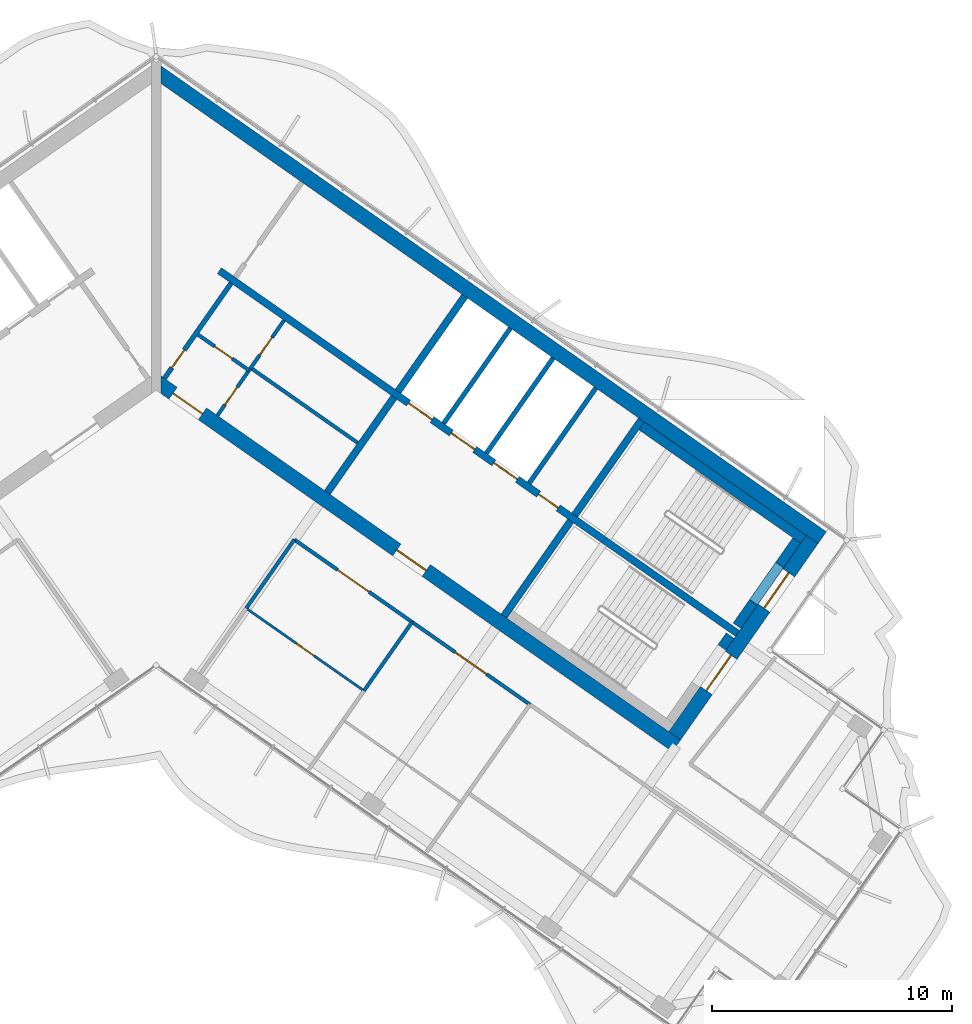
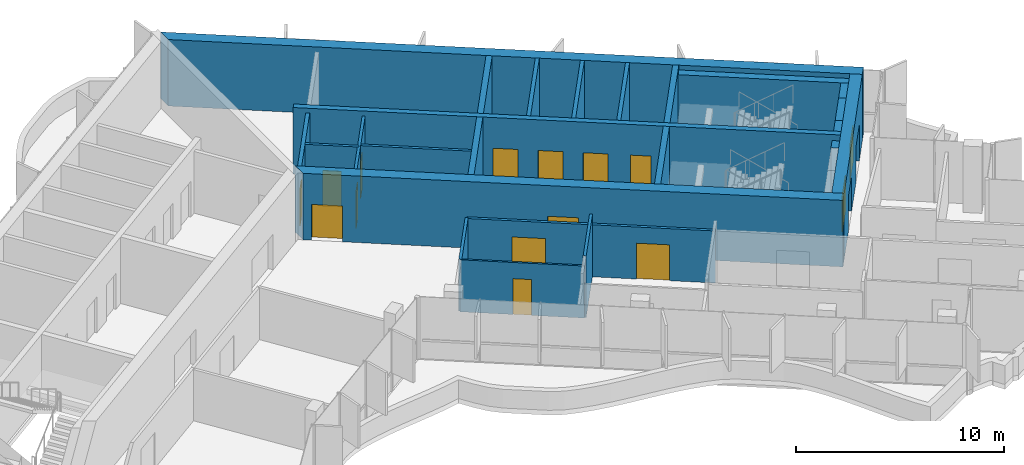
# One storey, part 11 of 18: 25 walls, 15 doors, 15 openings.
"""IFC4 building model written with IfcOpenShell, lengths in metres."""

import ifcopenshell
import ifcopenshell.guid

model = None  # the IFC model being written
_history = None  # IfcOwnerHistory: only IFC2X3 demands one
_inside = {}  # id of a spatial element -> (the spatial element, [elements in it])
_under = {}  # id of a project, library or spatial element -> (it, [spatial elements below it])
_declared = {}  # id of a project -> (the project, [libraries it declares])
_typed = {}  # id of a type object -> (the type object, [elements of that type])
_made_of = {}  # id of a material, layer set ... -> (it, [elements and type objects made of it])


def new_model(schema):
    """Start an empty IFC model of exactly this schema.

    Asked for "IFC4X3", IfcOpenShell would pick the latest addendum, in which some entities
    have other attributes; the version numbers below select the first issue.
    IFC2X3 requires an IfcOwnerHistory on every rooted entity: one is made here for all.
    """
    global model, _history
    if schema == "IFC4X3":
        model = ifcopenshell.file(schema_version=(4, 3, 0, 0))
    else:
        model = ifcopenshell.file(schema=schema)
    _inside.clear()
    _under.clear()
    _declared.clear()
    _typed.clear()
    _made_of.clear()
    _history = None
    if model.schema == "IFC2X3":
        org = make("IfcOrganization", Name="unknown")
        user = make(
            "IfcPersonAndOrganization",
            ThePerson=make("IfcPerson", FamilyName="unknown"),
            TheOrganization=org,
        )
        app = make(
            "IfcApplication",
            ApplicationDeveloper=org,
            Version="unknown",
            ApplicationFullName="unknown",
            ApplicationIdentifier="unknown",
        )
        _history = make(
            "IfcOwnerHistory",
            OwningUser=user,
            OwningApplication=app,
            ChangeAction="ADDED",
            CreationDate=0,
        )
    return model


def make(cls, **values):
    """One entity of the class cls with the attributes given. An attribute that is None is left unset."""
    return model.create_entity(
        cls, **{name: value for name, value in values.items() if value is not None}
    )


def rooted(cls, **values):
    """An entity with a GlobalId (a new one), such as an element, a storey or a relation."""
    return make(cls, GlobalId=ifcopenshell.guid.new(), OwnerHistory=_history, **values)


def si_unit(unit_type, name, prefix=None):
    """IfcSIUnit, for example si_unit("LENGTHUNIT", "METRE", prefix="MILLI")."""
    return make("IfcSIUnit", UnitType=unit_type, Prefix=prefix, Name=name)


def assignment(units):
    """IfcUnitAssignment: the units of a project."""
    return None if units is None else make("IfcUnitAssignment", Units=units)


def point(xyz):
    """IfcCartesianPoint."""
    return None if xyz is None else make("IfcCartesianPoint", Coordinates=xyz)


def direction(xyz):
    """IfcDirection."""
    return None if xyz is None else make("IfcDirection", DirectionRatios=xyz)


def frame(location, z_axis=None, x_axis=None):
    """IfcAxis2Placement3D, a coordinate frame: its origin and axes. An axis left out is left unset."""
    return make(
        "IfcAxis2Placement3D",
        Location=point(location),
        Axis=direction(z_axis),
        RefDirection=direction(x_axis),
    )


def frame_2d(location, x_axis=None):
    """IfcAxis2Placement2D, a coordinate frame in the plane: its origin and x axis."""
    return make(
        "IfcAxis2Placement2D", Location=point(location), RefDirection=direction(x_axis)
    )


def origin():
    """The frame at (0, 0, 0) with its axes left unset."""
    return frame((0.0, 0.0, 0.0))


def place(relative_to, where):
    """IfcLocalPlacement: puts the frame where relative to a parent placement (None: the world)."""
    return make(
        "IfcLocalPlacement", PlacementRelTo=relative_to, RelativePlacement=where
    )


def context(
    kind, dimensions, precision=None, world=None, true_north=None, identifier=None
):
    """IfcGeometricRepresentationContext, for example the 3D "Model" context."""
    return make(
        "IfcGeometricRepresentationContext",
        ContextIdentifier=identifier,
        ContextType=kind,
        CoordinateSpaceDimension=dimensions,
        Precision=precision,
        WorldCoordinateSystem=world,
        TrueNorth=true_north,
    )


def subcontext(parent, identifier, kind, view, scale=None):
    """IfcGeometricRepresentationSubContext, for example "Body" below "Model"."""
    return make(
        "IfcGeometricRepresentationSubContext",
        ContextIdentifier=identifier,
        ContextType=kind,
        ParentContext=parent,
        TargetScale=scale,
        TargetView=view,
    )


def project(units=None, contexts=None):
    """IfcProject with its units and contexts."""
    return rooted(
        "IfcProject",
        Name="project",
        RepresentationContexts=contexts,
        UnitsInContext=assignment(units),
    )


def spatial(cls, under=None, at=None, **own):
    """A site, building, storey or space (cls), placed at a placement, below another one or the project."""
    s = rooted(cls, ObjectPlacement=at, **own)
    if under is not None:
        _under.setdefault(under.id(), (under, []))[1].append(s)
    return s


def polyline(points):
    """IfcPolyline through the points."""
    return make("IfcPolyline", Points=[point(p) for p in points])


def profile(cls, at=None, kind="AREA", **sizes):
    """A parametric profile (cls). Its sizes go by their IFC names, for example OverallWidth=200.0."""
    return make(cls, ProfileType=kind, Position=at, **sizes)


def rectangle(**sizes):
    """IfcRectangleProfileDef."""
    return profile("IfcRectangleProfileDef", **sizes)


def outline(outer, holes=None, kind="AREA"):
    """IfcArbitraryClosedProfileDef: a profile drawn as a closed curve; with holes, ...WithVoids."""
    if holes is None:
        return make("IfcArbitraryClosedProfileDef", ProfileType=kind, OuterCurve=outer)
    return make(
        "IfcArbitraryProfileDefWithVoids",
        ProfileType=kind,
        OuterCurve=outer,
        InnerCurves=holes,
    )


def extrude(swept, where, along, depth):
    """IfcExtrudedAreaSolid: the profile swept, set in the frame where, extruded along a direction by depth."""
    return make(
        "IfcExtrudedAreaSolid",
        SweptArea=swept,
        Position=where,
        ExtrudedDirection=direction(along),
        Depth=depth,
    )


def shape(context_of_items, identifier, shape_type, items):
    """IfcShapeRepresentation: the items that make up one representation, for example the "Body"."""
    return make(
        "IfcShapeRepresentation",
        ContextOfItems=context_of_items,
        RepresentationIdentifier=identifier,
        RepresentationType=shape_type,
        Items=items,
    )


def material(Name=None, Category=None):
    """IfcMaterial."""
    return make("IfcMaterial", Name=Name, Category=Category)


def layer(
    of_material, thickness, ventilated=None, Name=None, Category=None, Priority=None
):
    """IfcMaterialLayer: one layer of a wall or slab, of a material (None: an air gap)."""
    return make(
        "IfcMaterialLayer",
        Material=of_material,
        LayerThickness=thickness,
        IsVentilated=ventilated,
        Name=Name,
        Category=Category,
        Priority=Priority,
    )


def layer_set(layers, Name=None):
    """IfcMaterialLayerSet."""
    return make("IfcMaterialLayerSet", MaterialLayers=layers, LayerSetName=Name)


def made_of(thing, what):
    """Note that an element or type object is made of a material, layer set ...; save() writes the relation."""
    if what is not None:
        _made_of.setdefault(what.id(), (what, []))[1].append(thing)
    return thing


def type_object(cls, material=None, **own):
    """A type object (cls), such as IfcWallType, which elements share."""
    return made_of(rooted(cls, **own), material)


def element(
    cls,
    number,
    at=None,
    inside=None,
    cuts=None,
    type_object=None,
    material=None,
    context=None,
    identifier="Body",
    shape_type=None,
    held_by="IfcProductDefinitionShape",
    body=None,
    shapes=None,
    **own,
):
    """One element of the class cls, such as IfcWall. Its Tag is "e" and its number.

    at: its placement. inside: the storey or other place that contains it. cuts: it is an
    opening in that element (IfcRelVoidsElement). A single representation is given by context,
    identifier, shape_type and body (its items); several are given by shapes. held_by: the class
    of the entity that holds the representations. save() writes the other relations.
    """
    e = rooted(cls, Tag="e%d" % number, ObjectPlacement=at, **own)
    if body is not None:
        shapes = [shape(context, identifier, shape_type, body)]
    if shapes is not None:
        e.Representation = make(held_by, Representations=shapes)
    if inside is not None:
        _inside.setdefault(inside.id(), (inside, []))[1].append(e)
    if cuts is not None:
        rooted(
            "IfcRelVoidsElement", RelatingBuildingElement=cuts, RelatedOpeningElement=e
        )
    if type_object is not None:
        _typed.setdefault(type_object.id(), (type_object, []))[1].append(e)
    return made_of(e, material)


def fill(opening, filler):
    """IfcRelFillsElement: the door or window that sits in an opening."""
    return rooted(
        "IfcRelFillsElement",
        RelatingOpeningElement=opening,
        RelatedBuildingElement=filler,
    )


def aggregate(whole, parts):
    """IfcRelAggregates: a whole, such as a stair, and the parts it consists of."""
    return rooted("IfcRelAggregates", RelatingObject=whole, RelatedObjects=parts)


def save(model, path):
    """Write the relations noted so far, then the file.

    IfcRelAggregates (storeys below a building ...), IfcRelContainedInSpatialStructure (elements
    in a storey), IfcRelDefinesByType, IfcRelAssociatesMaterial and IfcRelDeclares: one each for
    every whole, place, type object, material and project.
    """
    for whole, parts in _under.values():
        aggregate(whole, parts)
    for where, things in _inside.values():
        rooted(
            "IfcRelContainedInSpatialStructure",
            RelatedElements=things,
            RelatingStructure=where,
        )
    for kind, things in _typed.values():
        rooted("IfcRelDefinesByType", RelatedObjects=things, RelatingType=kind)
    for what, things in _made_of.values():
        rooted("IfcRelAssociatesMaterial", RelatedObjects=things, RelatingMaterial=what)
    for by, libraries in _declared.values():
        rooted("IfcRelDeclares", RelatingContext=by, RelatedDefinitions=libraries)
    model.write(path)


model = new_model("IFC4")

# Units and contexts
model_context = context("Model", 3, precision=1e-05, world=origin(), true_north=direction((0.0, 1.0)))
body_context = subcontext(model_context, "Body", "Model", "MODEL_VIEW")
ifc_project = project(units=[si_unit("LENGTHUNIT", "METRE"), si_unit("AREAUNIT", "SQUARE_METRE"), si_unit("VOLUMEUNIT", "CUBIC_METRE"), si_unit("PLANEANGLEUNIT", "RADIAN"), si_unit("MASSUNIT", "GRAM", prefix="KILO")], contexts=[model_context])

# Site, building, storey
site_placement = place(None, origin())
site = spatial("IfcSite", under=ifc_project, at=site_placement, CompositionType="ELEMENT")
building_placement = place(site_placement, origin())
building = spatial("IfcBuilding", under=site, at=building_placement, Name="Tel Ilan Convention Tower", CompositionType="ELEMENT")
storey_placement = place(building_placement, frame((0.0, 0.0, 256.60009765625)))
storey = spatial("IfcBuildingStorey", under=building, at=storey_placement, Name="L60", CompositionType="ELEMENT", Elevation=256.60009765625)

# Wall, openings, doors
ifc_material_1 = material(Name="Gypsum Plasterboard on Steel Stud", Category="steel")
ifc_layer_1 = layer(ifc_material_1, 0.14990234375)
ifc_layer_set_1 = layer_set([ifc_layer_1], Name="Core Room Partition Wall 150 mm EI 60")
wall_type_1 = type_object("IfcWallType", Name="Core Room Partition Wall 150 mm EI 60", PredefinedType="PARTITIONING", material=ifc_layer_set_1)
wall_1_placement = place(storey_placement, frame((2.5556640625, -2.27783203125, 0.0), z_axis=(0.0, 0.0, 1.0), x_axis=(0.573560315113, 0.819163332265, 0.0)))
wall_1 = element("IfcWall", 1, at=wall_1_placement, inside=storey, type_object=wall_type_1, Name="L60 core wall wc-v1", PredefinedType="PARTITIONING", context=body_context, shape_type="SweptSolid", body=[
    extrude(rectangle(XDim=4.849853515625, YDim=0.14990234375, at=frame_2d((2.4248046875, 0.0))), origin(), (0.0, 0.0, 1.0), 3.619873046875),
])
opening_1_placement = place(wall_1_placement, frame((0.550048828125, 0.0, 0.0)))
opening_1 = element("IfcOpeningElement", 2, at=opening_1_placement, cuts=wall_1, Name="Opening CD4611", PredefinedType="OPENING", context=body_context, shape_type="SweptSolid", body=[
    extrude(rectangle(XDim=0.89990234375, YDim=2.10009765625, at=frame_2d((0.449951171875, 1.050048828125))), frame((0.0, 0.0849609375, 0.0), z_axis=(0.0, -1.0, 0.0), x_axis=(1.0, 0.0, 0.0)), (0.0, 0.0, 1.0), 0.169921875),
])
opening_2_placement = place(wall_1_placement, frame((3.074951171875, 0.0, 0.0)))
opening_2 = element("IfcOpeningElement", 3, at=opening_2_placement, cuts=wall_1, Name="Opening CD4612", PredefinedType="OPENING", context=body_context, shape_type="SweptSolid", body=[
    extrude(rectangle(XDim=0.89990234375, YDim=2.10009765625, at=frame_2d((0.449951171875, 1.050048828125))), frame((0.0, 0.0849609375, 0.0), z_axis=(0.0, -1.0, 0.0), x_axis=(1.0, 0.0, 0.0)), (0.0, 0.0, 1.0), 0.169921875),
])
ifc_material_2 = material(Name="Laminated Timber Door Leaf", Category="wood")
door_type_1 = type_object("IfcDoorType", Name="Toilet Door 900 x 2100 FD30S", OperationType="NOTDEFINED", PredefinedType="DOOR", material=ifc_material_2)
door_1_placement = place(opening_1_placement, origin())
door_1 = element("IfcDoor", 4, at=door_1_placement, inside=storey, type_object=door_type_1, Name="Women's WC door", OperationType="SINGLE_SWING_RIGHT", OverallHeight=2.10009765625, OverallWidth=0.89990234375, PredefinedType="DOOR", context=body_context, shape_type="SweptSolid", body=[
    extrude(rectangle(XDim=0.89990234375, YDim=2.10009765625, at=frame_2d((0.449951171875, 1.050048828125))), frame((0.0, 0.02490234375, 0.0), z_axis=(0.0, -1.0, 0.0), x_axis=(1.0, 0.0, 0.0)), (0.0, 0.0, 1.0), 0.050048828125),
])
fill(opening_1, door_1)
door_2_placement = place(opening_2_placement, origin())
door_2 = element("IfcDoor", 5, at=door_2_placement, inside=storey, type_object=door_type_1, Name="Men's WC door", OperationType="SINGLE_SWING_RIGHT", OverallHeight=2.10009765625, OverallWidth=0.89990234375, PredefinedType="DOOR", context=body_context, shape_type="SweptSolid", body=[
    extrude(rectangle(XDim=0.89990234375, YDim=2.10009765625, at=frame_2d((0.449951171875, 1.050048828125))), frame((0.0, 0.02490234375, 0.0), z_axis=(0.0, -1.0, 0.0), x_axis=(1.0, 0.0, 0.0)), (0.0, 0.0, 1.0), 0.050048828125),
])
fill(opening_2, door_2)

# Wall, opening, door
wall_2_placement = place(storey_placement, frame((1.7451171875, 1.097412109375, 0.0), z_axis=(0.0, 0.0, 1.0), x_axis=(0.819178980414, -0.573537965655, 0.0)))
wall_2 = element("IfcWall", 6, at=wall_2_placement, inside=storey, type_object=wall_type_1, Name="L60 core wall wc-h1", PredefinedType="PARTITIONING", context=body_context, shape_type="SweptSolid", body=[
    extrude(rectangle(XDim=2.60009765625, YDim=0.14990234375, at=frame_2d((1.300048828125, 0.0))), origin(), (0.0, 0.0, 1.0), 3.619873046875),
])
opening_3_placement = place(wall_2_placement, frame((0.85009765625, 0.0, 0.0)))
opening_3 = element("IfcOpeningElement", 7, at=opening_3_placement, cuts=wall_2, Name="Opening CD4610", PredefinedType="OPENING", context=body_context, shape_type="SweptSolid", body=[
    extrude(rectangle(XDim=0.89990234375, YDim=2.10009765625, at=frame_2d((0.449951171875, 1.050048828125))), frame((0.0, 0.0849609375, 0.0), z_axis=(0.0, -1.0, 0.0), x_axis=(1.0, 0.0, 0.0)), (0.0, 0.0, 1.0), 0.169921875),
])
door_3_placement = place(opening_3_placement, origin())
door_3 = element("IfcDoor", 8, at=door_3_placement, inside=storey, type_object=door_type_1, Name="Accessible WC door", OperationType="SINGLE_SWING_RIGHT", OverallHeight=2.10009765625, OverallWidth=0.89990234375, PredefinedType="DOOR", context=body_context, shape_type="SweptSolid", body=[
    extrude(rectangle(XDim=0.89990234375, YDim=2.10009765625, at=frame_2d((0.449951171875, 1.050048828125))), frame((0.0, 0.02490234375, 0.0), z_axis=(0.0, -1.0, 0.0), x_axis=(1.0, 0.0, 0.0)), (0.0, 0.0, 1.0), 0.050048828125),
])
fill(opening_3, door_3)

# Wall
wall_3_placement = place(storey_placement, frame((3.946533203125, -0.29150390625, 0.0), z_axis=(0.0, 0.0, 1.0), x_axis=(0.819151939971, -0.573576585332, 0.0)))
element("IfcWall", 9, at=wall_3_placement, inside=storey, type_object=wall_type_1, Name="L60 core wall wc-h2", PredefinedType="PARTITIONING", context=body_context, shape_type="SweptSolid", body=[
    extrude(rectangle(XDim=5.449951171875, YDim=0.14990234375, at=frame_2d((2.72509765625, 0.0))), origin(), (0.0, 0.0, 1.0), 3.619873046875),
])

# Wall, opening, door
ifc_material_3 = material(Name="Concrete C30/37", Category="concrete")
ifc_layer_2 = layer(ifc_material_3, 0.199951171875)
ifc_layer_set_2 = layer_set([ifc_layer_2], Name="Core Service Room Wall 200 mm C30/37")
wall_type_2 = type_object("IfcWallType", Name="Core Service Room Wall 200 mm C30/37", PredefinedType="SOLIDWALL", material=ifc_layer_set_2)
wall_4_placement = place(storey_placement, frame((0.343994140625, -0.729248046875, 0.0), z_axis=(0.0, 0.0, 1.0), x_axis=(0.573560315113, 0.819163332265, 0.0)))
wall_4 = element("IfcWall", 10, at=wall_4_placement, inside=storey, type_object=wall_type_2, Name="L60 core wall apex-E", PredefinedType="SOLIDWALL", context=body_context, shape_type="SweptSolid", body=[
    extrude(rectangle(XDim=4.849853515625, YDim=0.199951171875, at=frame_2d((2.4248046875, 0.0))), origin(), (0.0, 0.0, 1.0), 3.619873046875),
])
opening_4_placement = place(wall_4_placement, frame((0.550048828125, 0.0, 0.0)))
opening_4 = element("IfcOpeningElement", 11, at=opening_4_placement, cuts=wall_4, Name="Opening CD4601", PredefinedType="OPENING", context=body_context, shape_type="SweptSolid", body=[
    extrude(rectangle(XDim=0.89990234375, YDim=2.10009765625, at=frame_2d((0.449951171875, 1.050048828125))), frame((0.0, 0.10986328125, 0.0), z_axis=(0.0, -1.0, 0.0), x_axis=(1.0, 0.0, 0.0)), (0.0, 0.0, 1.0), 0.219970703125),
])
ifc_material_4 = material(Name="Galvanised Steel Door Leaf", Category="steel")
door_type_2 = type_object("IfcDoorType", Name="Service Room Door 900 x 2100 FD60", OperationType="NOTDEFINED", PredefinedType="DOOR", material=ifc_material_4)
door_4_placement = place(opening_4_placement, origin())
door_4 = element("IfcDoor", 12, at=door_4_placement, inside=storey, type_object=door_type_2, Name="Store Room door", OperationType="SINGLE_SWING_RIGHT", OverallHeight=2.10009765625, OverallWidth=0.89990234375, PredefinedType="DOOR", context=body_context, shape_type="SweptSolid", body=[
    extrude(rectangle(XDim=0.89990234375, YDim=2.10009765625, at=frame_2d((0.449951171875, 1.050048828125))), frame((0.0, 0.02490234375, 0.0), z_axis=(0.0, -1.0, 0.0), x_axis=(1.0, 0.0, 0.0)), (0.0, 0.0, 1.0), 0.050048828125),
])
fill(opening_4, door_4)

# Walls
ifc_material_5 = material(Name="Concrete C40/50", Category="concrete")
ifc_layer_3 = layer(ifc_material_5, 0.300048828125)
ifc_layer_set_3 = layer_set([ifc_layer_3], Name="Core Shear Wall 300 mm C40/50")
wall_type_3 = type_object("IfcWallType", Name="Core Shear Wall 300 mm C40/50", PredefinedType="SHEAR", material=ifc_layer_set_3)
wall_5_placement = place(storey_placement, frame((7.142822265625, -5.48974609375, 0.0), z_axis=(0.0, 0.0, 1.0), x_axis=(0.573617744349, 0.819123118565, 0.0)))
element("IfcWall", 13, at=wall_5_placement, inside=storey, type_object=wall_type_3, Name="L60 core wall E-cross1-1", PredefinedType="SHEAR", context=body_context, shape_type="SweptSolid", body=[
    extrude(outline(polyline([(0.0, 0.14990234375), (0.0, -0.150146484375), (4.85009765625, -0.14990234375), (4.85009765625, 0.150146484375), (0.0, 0.14990234375)])), origin(), (0.0, 0.0, 1.0), 3.89990234375),
])
wall_6_placement = place(storey_placement, frame((10.096923828125, -1.271240234375, 0.0), z_axis=(0.0, 0.0, 1.0), x_axis=(0.573560315113, 0.819163332265, 0.0)))
element("IfcWall", 14, at=wall_6_placement, inside=storey, type_object=wall_type_3, Name="L60 core wall E-cross1-2", PredefinedType="SHEAR", context=body_context, shape_type="SweptSolid", body=[
    extrude(outline(polyline([(4.849853515625, -0.150146484375), (4.849853515625, 0.14990234375), (0.0, 0.150146484375), (0.0, -0.14990234375), (4.849853515625, -0.150146484375)])), origin(), (0.0, 0.0, 1.0), 3.89990234375),
])
wall_7_placement = place(storey_placement, frame((14.515380859375, -10.652099609375, 0.0), z_axis=(0.0, 0.0, 1.0), x_axis=(0.573560315113, 0.819163332265, 0.0)))
element("IfcWall", 15, at=wall_7_placement, inside=storey, type_object=wall_type_3, Name="L60 core wall E-cross2-1", PredefinedType="SHEAR", context=body_context, shape_type="SweptSolid", body=[
    extrude(outline(polyline([(0.0, 0.150146484375), (0.0, -0.14990234375), (4.85009765625, -0.14990234375), (4.85009765625, 0.14990234375), (0.0, 0.150146484375)])), origin(), (0.0, 0.0, 1.0), 3.89990234375),
])
wall_8_placement = place(storey_placement, frame((17.46923828125, -6.433349609375, 0.0), z_axis=(0.0, 0.0, 1.0), x_axis=(0.573594092424, 0.81913968109, 0.0)))
element("IfcWall", 16, at=wall_8_placement, inside=storey, type_object=wall_type_3, Name="L60 core wall E-cross2-2", PredefinedType="SHEAR", context=body_context, shape_type="SweptSolid", body=[
    extrude(outline(polyline([(4.849853515625, -0.14990234375), (4.849853515625, 0.150146484375), (0.0, 0.14990234375), (0.0, -0.14990234375), (4.849853515625, -0.14990234375)])), origin(), (0.0, 0.0, 1.0), 3.89990234375),
])

# Wall, openings, doors
wall_9_placement = place(storey_placement, frame((2.638427734375, 3.76806640625, 0.0), z_axis=(0.0, 0.0, 1.0), x_axis=(0.819155014212, -0.573572194837, 0.0)))
wall_9 = element("IfcWall", 17, at=wall_9_placement, inside=storey, type_object=wall_type_3, Name="L60 core wall E-spine", PredefinedType="SHEAR", context=body_context, shape_type="SweptSolid", body=[
    extrude(outline(polyline([(0.0, 0.150146484375), (0.0, -0.14990234375), (26.39990234375, -0.150146484375), (26.39990234375, 0.14990234375), (0.0, 0.150146484375)])), origin(), (0.0, 0.0, 1.0), 3.89990234375),
])
opening_5_placement = place(wall_9_placement, frame((9.637451171875, 0.0, 0.0)))
opening_5 = element("IfcOpeningElement", 18, at=opening_5_placement, cuts=wall_9, Name="Opening LD4601", PredefinedType="OPENING", context=body_context, shape_type="SweptSolid", body=[
    extrude(rectangle(XDim=1.199951171875, YDim=2.10009765625, at=frame_2d((0.60009765625, 1.050048828125))), frame((0.0, 0.159912109375, 0.0), z_axis=(0.0, -1.0, 0.0), x_axis=(1.0, 0.0, 0.0)), (0.0, 0.0, 1.0), 0.320068359375),
])
opening_6_placement = place(wall_9_placement, frame((11.8125, 0.0, 0.0)))
opening_6 = element("IfcOpeningElement", 19, at=opening_6_placement, cuts=wall_9, Name="Opening LD4602", PredefinedType="OPENING", context=body_context, shape_type="SweptSolid", body=[
    extrude(rectangle(XDim=1.199951171875, YDim=2.10009765625, at=frame_2d((0.60009765625, 1.050048828125))), frame((0.0, 0.159912109375, 0.0), z_axis=(0.0, -1.0, 0.0), x_axis=(1.0, 0.0, 0.0)), (0.0, 0.0, 1.0), 0.320068359375),
])
opening_7_placement = place(wall_9_placement, frame((13.987548828125, 0.0, 0.0)))
opening_7 = element("IfcOpeningElement", 20, at=opening_7_placement, cuts=wall_9, Name="Opening LD4603", PredefinedType="OPENING", context=body_context, shape_type="SweptSolid", body=[
    extrude(rectangle(XDim=1.199951171875, YDim=2.10009765625, at=frame_2d((0.60009765625, 1.050048828125))), frame((0.0, 0.159912109375, 0.0), z_axis=(0.0, -1.0, 0.0), x_axis=(1.0, 0.0, 0.0)), (0.0, 0.0, 1.0), 0.320068359375),
])
opening_8_placement = place(wall_9_placement, frame((16.262451171875, 0.0, 0.0)))
opening_8 = element("IfcOpeningElement", 21, at=opening_8_placement, cuts=wall_9, Name="Opening CD4608", PredefinedType="OPENING", context=body_context, shape_type="SweptSolid", body=[
    extrude(rectangle(XDim=1.0, YDim=2.10009765625, at=frame_2d((0.5, 1.050048828125))), frame((0.0, 0.159912109375, 0.0), z_axis=(0.0, -1.0, 0.0), x_axis=(1.0, 0.0, 0.0)), (0.0, 0.0, 1.0), 0.320068359375),
])
ifc_material_6 = material(Name="Stainless Steel Sliding Door Leaf", Category="steel")
door_type_3 = type_object("IfcDoorType", Name="Lift Landing Door 1200 x 2100 FD120", OperationType="NOTDEFINED", PredefinedType="DOOR", material=ifc_material_6)
door_5_placement = place(opening_5_placement, origin())
door_5 = element("IfcDoor", 22, at=door_5_placement, inside=storey, type_object=door_type_3, Name="Lift FL1 landing door", OperationType="SLIDING_TO_LEFT", OverallHeight=2.10009765625, OverallWidth=1.199951171875, PredefinedType="DOOR", context=body_context, shape_type="SweptSolid", body=[
    extrude(rectangle(XDim=1.199951171875, YDim=2.10009765625, at=frame_2d((0.60009765625, 1.050048828125))), frame((0.0, 0.02490234375, 0.0), z_axis=(0.0, -1.0, 0.0), x_axis=(1.0, 0.0, 0.0)), (0.0, 0.0, 1.0), 0.050048828125),
])
fill(opening_5, door_5)
door_6_placement = place(opening_6_placement, origin())
door_6 = element("IfcDoor", 23, at=door_6_placement, inside=storey, type_object=door_type_3, Name="Lift FL2 landing door", OperationType="SLIDING_TO_RIGHT", OverallHeight=2.10009765625, OverallWidth=1.199951171875, PredefinedType="DOOR", context=body_context, shape_type="SweptSolid", body=[
    extrude(rectangle(XDim=1.199951171875, YDim=2.10009765625, at=frame_2d((0.60009765625, 1.050048828125))), frame((0.0, 0.02490234375, 0.0), z_axis=(0.0, -1.0, 0.0), x_axis=(1.0, 0.0, 0.0)), (0.0, 0.0, 1.0), 0.050048828125),
])
fill(opening_6, door_6)
door_7_placement = place(opening_7_placement, origin())
door_7 = element("IfcDoor", 24, at=door_7_placement, inside=storey, type_object=door_type_3, Name="Lift FL3 landing door", OperationType="SLIDING_TO_LEFT", OverallHeight=2.10009765625, OverallWidth=1.199951171875, PredefinedType="DOOR", context=body_context, shape_type="SweptSolid", body=[
    extrude(rectangle(XDim=1.199951171875, YDim=2.10009765625, at=frame_2d((0.60009765625, 1.050048828125))), frame((0.0, 0.02490234375, 0.0), z_axis=(0.0, -1.0, 0.0), x_axis=(1.0, 0.0, 0.0)), (0.0, 0.0, 1.0), 0.050048828125),
])
fill(opening_7, door_7)
ifc_material_7 = material(Name="Galvanised Steel Door Leaf", Category="steel")
door_type_4 = type_object("IfcDoorType", Name="Service Room Door 1000 x 2100 FD60", OperationType="NOTDEFINED", PredefinedType="DOOR", material=ifc_material_7)
door_8_placement = place(opening_8_placement, origin())
door_8 = element("IfcDoor", 25, at=door_8_placement, inside=storey, type_object=door_type_4, Name="Plant Room door", OperationType="SINGLE_SWING_RIGHT", OverallHeight=2.10009765625, OverallWidth=1.0, PredefinedType="DOOR", context=body_context, shape_type="SweptSolid", body=[
    extrude(rectangle(XDim=1.0, YDim=2.10009765625, at=frame_2d((0.5, 1.050048828125))), frame((0.0, 0.02490234375, 0.0), z_axis=(0.0, -1.0, 0.0), x_axis=(1.0, 0.0, 0.0)), (0.0, 0.0, 1.0), 0.050048828125),
])
fill(opening_8, door_8)

# Wall
ifc_material_8 = material(Name="Concrete C40/50", Category="concrete")
ifc_layer_4 = layer(ifc_material_8, 0.60009765625)
ifc_layer_set_4 = layer_set([ifc_layer_4], Name="Core Shear Wall 600 mm C40/50")
wall_type_4 = type_object("IfcWallType", Name="Core Shear Wall 600 mm C40/50", PredefinedType="SHEAR", material=ifc_layer_set_4)
wall_10_placement = place(storey_placement, frame((0.02783203125, 12.066162109375, 0.0), z_axis=(0.0, 0.0, 1.0), x_axis=(0.819151382952, -0.573577380837, 0.0)))
element("IfcWall", 26, at=wall_10_placement, inside=storey, type_object=wall_type_4, Name="L60 core wall E-back", PredefinedType="SHEAR", context=body_context, shape_type="SweptSolid", body=[
    extrude(outline(polyline([(33.898193359375, 0.300048828125), (0.0, 0.300048828125), (0.420166015625, -0.300048828125), (33.89794921875, -0.300048828125), (33.898193359375, 0.300048828125)])), origin(), (0.0, 0.0, 1.0), 3.89990234375),
])

# Wall, openings, doors
wall_11_placement = place(storey_placement, frame((0.02783203125, -0.8740234375, 0.0), z_axis=(0.0, 0.0, 1.0), x_axis=(0.819150035022, -0.573579305871, 0.0)))
wall_11 = element("IfcWall", 27, at=wall_11_placement, inside=storey, type_object=wall_type_4, Name="L60 core wall E-front", PredefinedType="SHEAR", context=body_context, shape_type="SweptSolid", body=[
    extrude(outline(polyline([(26.475830078125, 0.300048828125), (0.000244140625, 0.300048828125), (0.420166015625, -0.300048828125), (26.475830078125, -0.2998046875), (26.475830078125, 0.300048828125)])), origin(), (0.0, 0.0, 1.0), 3.89990234375),
])
opening_9_placement = place(wall_11_placement, frame((0.82568359375, 0.0, 0.0)))
opening_9 = element("IfcOpeningElement", 28, at=opening_9_placement, cuts=wall_11, Name="Opening CD4604", PredefinedType="OPENING", context=body_context, shape_type="SweptSolid", body=[
    extrude(rectangle(XDim=1.5, YDim=2.10009765625, at=frame_2d((0.75, 1.050048828125))), frame((0.0, 0.31005859375, 0.0), z_axis=(0.0, -1.0, 0.0), x_axis=(1.0, 0.0, 0.0)), (0.0, 0.0, 1.0), 0.6201171875),
])
opening_10_placement = place(wall_11_placement, frame((12.225830078125, 0.0, 0.0)))
opening_10 = element("IfcOpeningElement", 29, at=opening_10_placement, cuts=wall_11, Name="Opening CD4605", PredefinedType="OPENING", context=body_context, shape_type="SweptSolid", body=[
    extrude(rectangle(XDim=1.5, YDim=2.10009765625, at=frame_2d((0.75, 1.050048828125))), frame((0.0, 0.31005859375, 0.0), z_axis=(0.0, -1.0, 0.0), x_axis=(1.0, 0.0, 0.0)), (0.0, 0.0, 1.0), 0.6201171875),
])
ifc_material_9 = material(Name="Glazed Aluminium Door Leaf", Category="aluminium")
door_type_5 = type_object("IfcDoorType", Name="Lobby Opening Door 1500 x 2100 FD60S", OperationType="NOTDEFINED", PredefinedType="DOOR", material=ifc_material_9)
door_9_placement = place(opening_10_placement, origin())
door_9 = element("IfcDoor", 30, at=door_9_placement, inside=storey, type_object=door_type_5, Name="Firefighting Lobby door", OperationType="DOUBLE_DOOR_SINGLE_SWING", OverallHeight=2.10009765625, OverallWidth=1.5, PredefinedType="DOOR", context=body_context, shape_type="SweptSolid", body=[
    extrude(rectangle(XDim=1.5, YDim=2.10009765625, at=frame_2d((0.75, 1.050048828125))), frame((0.0, 0.02490234375, 0.0), z_axis=(0.0, -1.0, 0.0), x_axis=(1.0, 0.0, 0.0)), (0.0, 0.0, 1.0), 0.050048828125),
])
fill(opening_10, door_9)
ifc_material_10 = material(Name="Laminated Timber Door Leaf", Category="wood")
door_type_6 = type_object("IfcDoorType", Name="Toilet Door 1500 x 2100 FD30S", OperationType="NOTDEFINED", PredefinedType="DOOR", material=ifc_material_10)
door_10_placement = place(opening_9_placement, origin())
door_10 = element("IfcDoor", 31, at=door_10_placement, inside=storey, type_object=door_type_6, Name="WC Lobby door", OperationType="SINGLE_SWING_RIGHT", OverallHeight=2.10009765625, OverallWidth=1.5, PredefinedType="DOOR", context=body_context, shape_type="SweptSolid", body=[
    extrude(rectangle(XDim=1.5, YDim=2.10009765625, at=frame_2d((0.75, 1.050048828125))), frame((0.0, 0.02490234375, 0.0), z_axis=(0.0, -1.0, 0.0), x_axis=(1.0, 0.0, 0.0)), (0.0, 0.0, 1.0), 0.050048828125),
])
fill(opening_9, door_10)

wall_12_placement = place(storey_placement, frame((21.641845703125, -15.64208984375, 0.0), z_axis=(0.0, 0.0, 1.0), x_axis=(0.573586866468, 0.819144740944, 0.0)))
wall_12 = element("IfcWall", 32, at=wall_12_placement, inside=storey, type_object=wall_type_4, Name="L60 core wall E-end", PredefinedType="SHEAR", context=body_context, shape_type="SweptSolid", body=[
    extrude(outline(polyline([(10.0, 0.300048828125), (0.0, 0.2998046875), (0.0, -0.300048828125), (10.0, -0.300048828125), (10.0, 0.300048828125)])), origin(), (0.0, 0.0, 1.0), 3.89990234375),
])
opening_11_placement = place(wall_12_placement, frame((6.5, 0.0, 0.0)))
opening_11 = element("IfcOpeningElement", 33, at=opening_11_placement, cuts=wall_12, Name="Opening SD4603", PredefinedType="OPENING", context=body_context, shape_type="SweptSolid", body=[
    extrude(rectangle(XDim=1.800048828125, YDim=2.10009765625, at=frame_2d((0.89990234375, 1.050048828125))), frame((0.0, 0.31005859375, 0.0), z_axis=(0.0, -1.0, 0.0), x_axis=(1.0, 0.0, 0.0)), (0.0, 0.0, 1.0), 0.6201171875),
])
opening_12_placement = place(wall_12_placement, frame((2.300048828125, 0.0, 0.0)))
opening_12 = element("IfcOpeningElement", 34, at=opening_12_placement, cuts=wall_12, Name="Opening SD4604", PredefinedType="OPENING", context=body_context, shape_type="SweptSolid", body=[
    extrude(rectangle(XDim=1.800048828125, YDim=2.10009765625, at=frame_2d((0.89990234375, 1.050048828125))), frame((0.0, 0.31005859375, 0.0), z_axis=(0.0, -1.0, 0.0), x_axis=(1.0, 0.0, 0.0)), (0.0, 0.0, 1.0), 0.6201171875),
])
ifc_material_11 = material(Name="Galvanised Steel Door Leaf", Category="steel")
door_type_7 = type_object("IfcDoorType", Name="Stair Fire Door 1800 x 2100 FD60S", OperationType="NOTDEFINED", PredefinedType="DOOR", material=ifc_material_11)
door_11_placement = place(opening_11_placement, origin())
door_11 = element("IfcDoor", 35, at=door_11_placement, inside=storey, type_object=door_type_7, Name="Stair S3 door", OperationType="DOUBLE_DOOR_SINGLE_SWING", OverallHeight=2.10009765625, OverallWidth=1.800048828125, PredefinedType="DOOR", context=body_context, shape_type="SweptSolid", body=[
    extrude(rectangle(XDim=1.800048828125, YDim=2.10009765625, at=frame_2d((0.89990234375, 1.050048828125))), frame((0.0, 0.02490234375, 0.0), z_axis=(0.0, -1.0, 0.0), x_axis=(1.0, 0.0, 0.0)), (0.0, 0.0, 1.0), 0.050048828125),
])
fill(opening_11, door_11)
door_12_placement = place(opening_12_placement, origin())
door_12 = element("IfcDoor", 36, at=door_12_placement, inside=storey, type_object=door_type_7, Name="Stair S4 door", OperationType="DOUBLE_DOOR_SINGLE_SWING", OverallHeight=2.10009765625, OverallWidth=1.800048828125, PredefinedType="DOOR", context=body_context, shape_type="SweptSolid", body=[
    extrude(rectangle(XDim=1.800048828125, YDim=2.10009765625, at=frame_2d((0.89990234375, 1.050048828125))), frame((0.0, 0.02490234375, 0.0), z_axis=(0.0, -1.0, 0.0), x_axis=(1.0, 0.0, 0.0)), (0.0, 0.0, 1.0), 0.050048828125),
])
fill(opening_12, door_12)

# Wall, opening, door
ifc_material_12 = material(Name="Plasterboard on Steel Studs", Category="steel")
ifc_layer_5 = layer(ifc_material_12, 0.14990234375)
ifc_layer_set_5 = layer_set([ifc_layer_5], Name="Fire-rated Partition 150 EI 60")
wall_type_5 = type_object("IfcWallType", Name="Fire-rated Partition 150 EI 60", PredefinedType="PARTITIONING", material=ifc_layer_set_5)
wall_13_placement = place(storey_placement, frame((10.682861328125, -10.8984375, 0.0), z_axis=(0.0, 0.0, 1.0), x_axis=(-0.819147828287, 0.573582457378, 0.0)))
wall_13 = element("IfcWall", 37, at=wall_13_placement, inside=storey, type_object=wall_type_5, Name="Partition 003", PredefinedType="PARTITIONING", context=body_context, shape_type="SweptSolid", body=[
    extrude(rectangle(XDim=6.001953125, YDim=0.14990234375, at=frame_2d((3.0009765625, 0.0))), origin(), (0.0, 0.0, 1.0), 3.0498046875),
])
opening_13_placement = place(wall_13_placement, frame((2.200927734375, 0.0, 0.0)))
opening_13 = element("IfcOpeningElement", 38, at=opening_13_placement, cuts=wall_13, Name="Opening L59-007", PredefinedType="OPENING", context=body_context, shape_type="SweptSolid", body=[
    extrude(rectangle(XDim=1.60009765625, YDim=2.10009765625, at=frame_2d((0.800048828125, 1.050048828125))), frame((0.0, 0.0849609375, 0.0), z_axis=(0.0, -1.0, 0.0), x_axis=(1.0, 0.0, 0.0)), (0.0, 0.0, 1.0), 0.169921875),
])
ifc_material_13 = material(Name="Timber Door Leaf in Steel Frame", Category="steel")
door_type_8 = type_object("IfcDoorType", Name="Tenant Suite Entrance Fire Door 1600x2100", OperationType="NOTDEFINED", PredefinedType="DOOR", material=ifc_material_13)
door_13_placement = place(opening_13_placement, origin())
door_13 = element("IfcDoor", 39, at=door_13_placement, inside=storey, type_object=door_type_8, Name="Door L59-007", OperationType="DOUBLE_DOOR_SINGLE_SWING", OverallHeight=2.10009765625, OverallWidth=1.60009765625, PredefinedType="DOOR", context=body_context, shape_type="SweptSolid", body=[
    extrude(rectangle(XDim=1.60009765625, YDim=2.10009765625, at=frame_2d((0.800048828125, 1.050048828125))), frame((0.0, 0.02490234375, 0.0), z_axis=(0.0, -1.0, 0.0), x_axis=(1.0, 0.0, 0.0)), (0.0, 0.0, 1.0), 0.050048828125),
])
fill(opening_13, door_13)

wall_14_placement = place(storey_placement, frame((15.597900390625, -14.33984375, 0.0), z_axis=(0.0, 0.0, 1.0), x_axis=(-0.819145946981, 0.573585144111, 0.0)))
wall_14 = element("IfcWall", 40, at=wall_14_placement, inside=storey, type_object=wall_type_5, Name="Partition 004", PredefinedType="PARTITIONING", context=body_context, shape_type="SweptSolid", body=[
    extrude(rectangle(XDim=6.004150390625, YDim=0.14990234375, at=frame_2d((3.001953125, 0.0))), origin(), (0.0, 0.0, 1.0), 3.0498046875),
])
opening_14_placement = place(wall_14_placement, frame((2.201904296875, 0.0, 0.0)))
opening_14 = element("IfcOpeningElement", 41, at=opening_14_placement, cuts=wall_14, Name="Opening L59-009", PredefinedType="OPENING", context=body_context, shape_type="SweptSolid", body=[
    extrude(rectangle(XDim=1.60009765625, YDim=2.10009765625, at=frame_2d((0.800048828125, 1.050048828125))), frame((0.0, 0.0849609375, 0.0), z_axis=(0.0, -1.0, 0.0), x_axis=(1.0, 0.0, 0.0)), (0.0, 0.0, 1.0), 0.169921875),
])
door_14_placement = place(opening_14_placement, origin())
door_14 = element("IfcDoor", 42, at=door_14_placement, inside=storey, type_object=door_type_8, Name="Door L59-009", OperationType="DOUBLE_DOOR_SINGLE_SWING", OverallHeight=2.10009765625, OverallWidth=1.60009765625, PredefinedType="DOOR", context=body_context, shape_type="SweptSolid", body=[
    extrude(rectangle(XDim=1.60009765625, YDim=2.10009765625, at=frame_2d((0.800048828125, 1.050048828125))), frame((0.0, 0.02490234375, 0.0), z_axis=(0.0, -1.0, 0.0), x_axis=(1.0, 0.0, 0.0)), (0.0, 0.0, 1.0), 0.050048828125),
])
fill(opening_14, door_14)

# Walls
wall_15_placement = place(storey_placement, frame((10.681396484375, -10.897216796875, 0.0), z_axis=(0.0, 0.0, 1.0), x_axis=(-0.573612130335, -0.819127049933, 0.0)))
element("IfcWall", 43, at=wall_15_placement, inside=storey, type_object=wall_type_5, Name="Partition 017", PredefinedType="PARTITIONING", context=body_context, shape_type="SweptSolid", body=[
    extrude(rectangle(XDim=3.500244140625, YDim=0.14990234375, at=frame_2d((1.75, 0.0))), origin(), (0.0, 0.0, 1.0), 3.619873046875),
])
wall_16_placement = place(storey_placement, frame((3.7587890625, -10.32275390625, 0.0), z_axis=(0.0, 0.0, 1.0), x_axis=(0.573598101901, 0.81913687348, 0.0)))
element("IfcWall", 44, at=wall_16_placement, inside=storey, type_object=wall_type_5, Name="Partition 018", PredefinedType="PARTITIONING", context=body_context, shape_type="SweptSolid", body=[
    extrude(rectangle(XDim=3.5, YDim=0.14990234375, at=frame_2d((1.75, 0.0))), origin(), (0.0, 0.0, 1.0), 3.0498046875),
])
ifc_material_14 = material(Name="Concrete C30/37", Category="concrete")
ifc_layer_6 = layer(ifc_material_14, 0.199951171875)
ifc_layer_set_6 = layer_set([ifc_layer_6], Name="Lift Shaft Wall 200 mm C30/37")
wall_type_6 = type_object("IfcWallType", Name="Lift Shaft Wall 200 mm C30/37", PredefinedType="SOLIDWALL", material=ifc_layer_set_6)
wall_17_placement = place(storey_placement, frame((12.00146484375, -2.604736328125, 0.0), z_axis=(0.0, 0.0, 1.0), x_axis=(0.573560315113, 0.819163332265, 0.0)))
element("IfcWall", 45, at=wall_17_placement, inside=storey, type_object=wall_type_6, Name="L60 core wall bank-E2-p0", PredefinedType="SOLIDWALL", context=body_context, shape_type="SweptSolid", body=[
    extrude(rectangle(XDim=4.849853515625, YDim=0.199951171875, at=frame_2d((2.4248046875, 0.0))), origin(), (0.0, 0.0, 1.0), 3.89990234375),
])
wall_18_placement = place(storey_placement, frame((13.782958984375, -3.852294921875, 0.0), z_axis=(0.0, 0.0, 1.0), x_axis=(0.573594092424, 0.81913968109, 0.0)))
element("IfcWall", 46, at=wall_18_placement, inside=storey, type_object=wall_type_6, Name="L60 core wall bank-E2-p1", PredefinedType="SOLIDWALL", context=body_context, shape_type="SweptSolid", body=[
    extrude(rectangle(XDim=4.85009765625, YDim=0.199951171875, at=frame_2d((2.425048828125, 0.0))), origin(), (0.0, 0.0, 1.0), 3.89990234375),
])
wall_19_placement = place(storey_placement, frame((15.564697265625, -5.099853515625, 0.0), z_axis=(0.0, 0.0, 1.0), x_axis=(0.573560315113, 0.819163332265, 0.0)))
element("IfcWall", 47, at=wall_19_placement, inside=storey, type_object=wall_type_6, Name="L60 core wall bank-E2-p2", PredefinedType="SOLIDWALL", context=body_context, shape_type="SweptSolid", body=[
    extrude(rectangle(XDim=4.849853515625, YDim=0.199951171875, at=frame_2d((2.4248046875, 0.0))), origin(), (0.0, 0.0, 1.0), 3.89990234375),
])

# Wall, opening, door
ifc_material_15 = material(Name="Plasterboard on Steel Studs", Category="steel")
ifc_layer_7 = layer(ifc_material_15, 0.10009765625)
ifc_layer_set_7 = layer_set([ifc_layer_7], Name="Plasterboard Partition 100")
wall_type_7 = type_object("IfcWallType", Name="Plasterboard Partition 100", PredefinedType="PARTITIONING", material=ifc_layer_set_7)
wall_20_placement = place(storey_placement, frame((8.673095703125, -13.76513671875, 0.0), z_axis=(0.0, 0.0, 1.0), x_axis=(-0.819149710902, 0.573579768758, 0.0)))
wall_20 = element("IfcWall", 48, at=wall_20_placement, inside=storey, type_object=wall_type_7, Name="Partition 013", PredefinedType="PARTITIONING", context=body_context, shape_type="SweptSolid", body=[
    extrude(rectangle(XDim=5.999755859375, YDim=0.10009765625, at=frame_2d((3.0, 0.0))), origin(), (0.0, 0.0, 1.0), 3.0498046875),
])
opening_15_placement = place(wall_20_placement, frame((2.550048828125, 0.0, 0.0)))
opening_15 = element("IfcOpeningElement", 49, at=opening_15_placement, cuts=wall_20, Name="Opening L59-008", PredefinedType="OPENING", context=body_context, shape_type="SweptSolid", body=[
    extrude(rectangle(XDim=0.89990234375, YDim=2.10009765625, at=frame_2d((0.449951171875, 1.050048828125))), frame((0.0, 0.06005859375, 0.0), z_axis=(0.0, -1.0, 0.0), x_axis=(1.0, 0.0, 0.0)), (0.0, 0.0, 1.0), 0.1201171875),
])
ifc_material_16 = material(Name="Timber Door Leaf in Steel Frame", Category="steel")
door_type_9 = type_object("IfcDoorType", Name="Room Timber Door 900x2100", OperationType="NOTDEFINED", PredefinedType="DOOR", material=ifc_material_16)
door_15_placement = place(opening_15_placement, origin())
door_15 = element("IfcDoor", 50, at=door_15_placement, inside=storey, type_object=door_type_9, Name="Door L59-008", OperationType="SINGLE_SWING_RIGHT", OverallHeight=2.10009765625, OverallWidth=0.89990234375, PredefinedType="DOOR", context=body_context, shape_type="SweptSolid", body=[
    extrude(rectangle(XDim=0.89990234375, YDim=2.10009765625, at=frame_2d((0.449951171875, 1.050048828125))), frame((0.0, 0.02490234375, 0.0), z_axis=(0.0, -1.0, 0.0), x_axis=(1.0, 0.0, 0.0)), (0.0, 0.0, 1.0), 0.050048828125),
])
fill(opening_15, door_15)

# Walls
ifc_material_17 = material(Name="Concrete C30/37", Category="concrete")
ifc_layer_8 = layer(ifc_material_17, 0.39990234375)
ifc_layer_set_8 = layer_set([ifc_layer_8], Name="Stair and Shaft Lining Wall 400 mm C30/37")
wall_type_8 = type_object("IfcWallType", Name="Stair and Shaft Lining Wall 400 mm C30/37", PredefinedType="SOLIDWALL", material=ifc_layer_set_8)
wall_21_placement = place(storey_placement, frame((20.25927734375, -2.71044921875, 0.0), z_axis=(0.0, 0.0, 1.0), x_axis=(0.81914849389, -0.573581506813, 0.0)))
element("IfcWall", 51, at=wall_21_placement, inside=storey, type_object=wall_type_8, Name="L60 core wall lining-S3-t1", PredefinedType="SOLIDWALL", context=body_context, shape_type="SweptSolid", body=[
    extrude(rectangle(XDim=8.249755859375, YDim=0.39990234375, at=frame_2d((4.125, 0.0))), origin(), (0.0, 0.0, 1.0), 3.619873046875),
])
wall_22_placement = place(storey_placement, frame((24.24365234375, -11.0546875, 0.0), z_axis=(0.0, 0.0, 1.0), x_axis=(0.573571582932, 0.819155442668, 0.0)))
element("IfcWall", 52, at=wall_22_placement, inside=storey, type_object=wall_type_8, Name="L60 core wall lining-S3-u1-0", PredefinedType="SOLIDWALL", context=body_context, shape_type="SweptSolid", body=[
    extrude(rectangle(XDim=1.199951171875, YDim=0.39990234375, at=frame_2d((0.60009765625, 0.0))), origin(), (0.0, 0.0, 1.0), 3.619873046875),
])
wall_23_placement = place(storey_placement, frame((26.021728515625, -8.515380859375, 0.0), z_axis=(0.0, 0.0, 1.0), x_axis=(0.573619628835, 0.819121798889, 0.0)))
element("IfcWall", 53, at=wall_23_placement, inside=storey, type_object=wall_type_8, Name="L60 core wall lining-S3-u1-1", PredefinedType="SOLIDWALL", context=body_context, shape_type="SweptSolid", body=[
    extrude(rectangle(XDim=1.25, YDim=0.39990234375, at=frame_2d((0.625, 0.0))), origin(), (0.0, 0.0, 1.0), 3.619873046875),
])
wall_24_placement = place(storey_placement, frame((24.931884765625, -10.07177734375, 2.14990234375), z_axis=(0.0, 0.0, 1.0), x_axis=(0.573591692345, 0.819141361715, 0.0)))
element("IfcWall", 54, at=wall_24_placement, inside=storey, type_object=wall_type_8, Name="L60 core wall lining-S3-u1-lintel", PredefinedType="SOLIDWALL", context=body_context, shape_type="SweptSolid", body=[
    extrude(rectangle(XDim=1.900146484375, YDim=0.39990234375, at=frame_2d((0.9501953125, 0.0))), origin(), (0.0, 0.0, 1.0), 1.469970703125),
])
wall_25_placement = place(storey_placement, frame((23.61279296875, -11.955810546875, 0.0), z_axis=(0.0, 0.0, 1.0), x_axis=(0.573435029941, 0.819251039936, 0.0)))
element("IfcWall", 55, at=wall_25_placement, inside=storey, type_object=wall_type_8, Name="L60 core wall lining-S4-u1-1", PredefinedType="SOLIDWALL", context=body_context, shape_type="SweptSolid", body=[
    extrude(rectangle(XDim=0.599853515625, YDim=0.39990234375, at=frame_2d((0.2998046875, 0.0))), origin(), (0.0, 0.0, 1.0), 3.619873046875),
])

save(model, "model.ifc")
